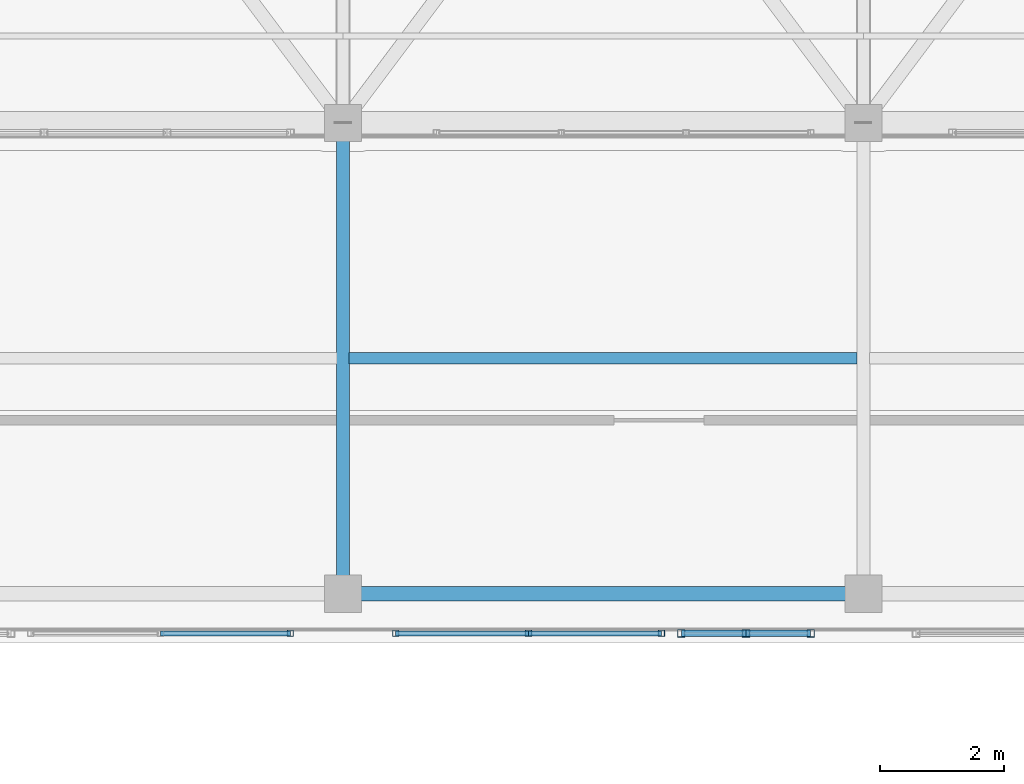
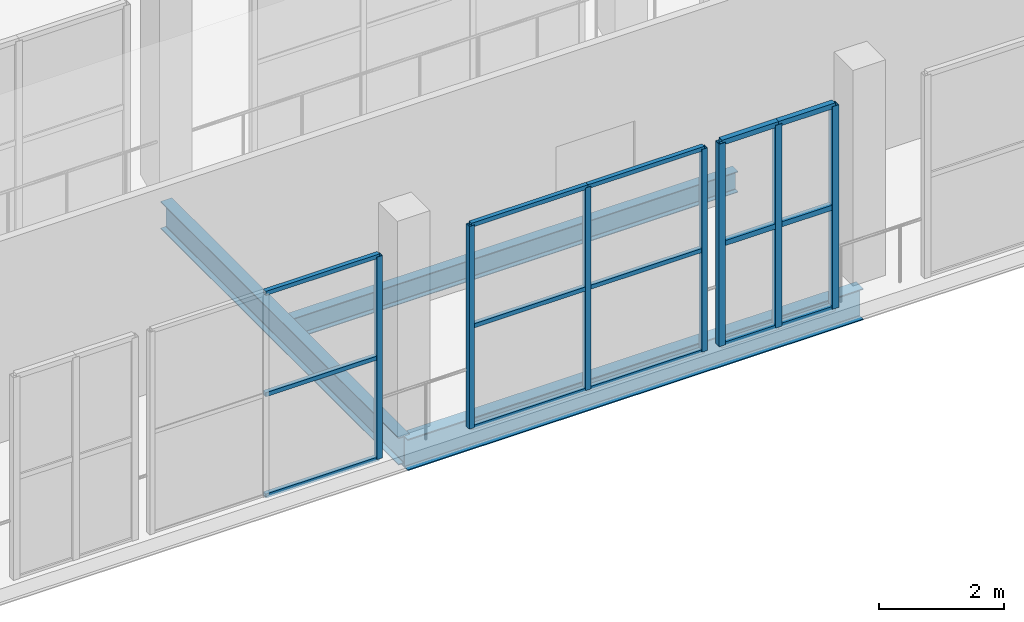
# One storey, part 69 of 217: 22 members, 3 beams, 3 elements without a shape of their own.
"""IFC4 building model written with IfcOpenShell, lengths in metres."""

from ifc_helpers import new_model, si_unit, direction, frame, origin, origin_2d, place, context, subcontext, project, spatial, hollow_rectangle, i_section, extrude, material, material_profile, profile_set, type_object, element, aggregate, save


model = new_model("IFC4")

# Units and contexts
model_context = context("Model", 3, precision=1e-05, world=origin(), true_north=direction((0.0, 1.0)))
body_context = subcontext(model_context, "Body", "Model", "MODEL_VIEW")
ifc_project = project(units=[si_unit("LENGTHUNIT", "METRE"), si_unit("AREAUNIT", "SQUARE_METRE"), si_unit("VOLUMEUNIT", "CUBIC_METRE"), si_unit("PLANEANGLEUNIT", "RADIAN"), si_unit("MASSUNIT", "GRAM", prefix="KILO")], contexts=[model_context])

# Site, building, storey
site_placement = place(None, origin())
site = spatial("IfcSite", under=ifc_project, at=site_placement, CompositionType="ELEMENT")
building_placement = place(site_placement, origin())
building = spatial("IfcBuilding", under=site, at=building_placement, Name="Zuvorla Pavilion Media Centre", CompositionType="ELEMENT")
storey_placement = place(building_placement, frame((0.0, 0.0, 9.60009765625)))
storey = spatial("IfcBuildingStorey", under=building, at=storey_placement, Name="L02", CompositionType="ELEMENT", Elevation=9.60009765625)

# Beams
ifc_material_1 = material(Name="Steel S355", Category="steel")
ifc_material_profile_1 = material_profile(ifc_material_1, i_section(OverallWidth=0.1787109375, OverallDepth=0.409423828125, WebThickness=0.0087890625, FlangeThickness=0.014404296875, FilletRadius=0.01025390625, at=origin_2d()), Name="UB 406x178x67")
ifc_profile_set_1 = profile_set([ifc_material_profile_1], Name="Steel S355")
beam_type_1 = type_object("IfcBeamType", Name="BM-UB406", PredefinedType="JOIST", material=ifc_profile_set_1)
beam_1_placement = place(storey_placement, frame((75.300048828125, 85.800048828125, -0.472900390625), z_axis=(1.0, 0.0, 0.0), x_axis=(0.0, 1.0, 0.0)))
element("IfcBeam", 1, at=beam_1_placement, inside=storey, type_object=beam_type_1, Name="L02 joist J02 1013", PredefinedType="JOIST", context=body_context, shape_type="SweptSolid", body=[
    extrude(i_section(OverallWidth=0.1787109375, OverallDepth=0.409423828125, WebThickness=0.0087890625, FlangeThickness=0.014404296875, FilletRadius=0.01025390625, at=origin_2d()), origin(), (0.0, 0.0, 1.0), 8.199951171875),
])
ifc_material_profile_2 = material_profile(ifc_material_1, i_section(OverallWidth=0.2099609375, OverallDepth=0.53662109375, WebThickness=0.0107421875, FlangeThickness=0.017333984375, FilletRadius=0.0126953125, at=origin_2d()), Name="UB 533x210x101")
ifc_profile_set_2 = profile_set([ifc_material_profile_2], Name="Steel S355")
beam_type_2 = type_object("IfcBeamType", Name="BM-UB533", PredefinedType="BEAM", material=ifc_profile_set_2)
beam_2_placement = place(storey_placement, frame((75.199951171875, 82.0, -0.536376953125), z_axis=(0.0, 1.0, 0.0), x_axis=(-1.0, 0.0, 0.0)))
element("IfcBeam", 2, at=beam_2_placement, inside=storey, type_object=beam_type_2, Name="L02 beam B08 933", PredefinedType="BEAM", context=body_context, shape_type="SweptSolid", body=[
    extrude(i_section(OverallWidth=0.2099609375, OverallDepth=0.53662109375, WebThickness=0.0107421875, FlangeThickness=0.017333984375, FilletRadius=0.0126953125, at=origin_2d()), origin(), (0.0, 0.0, 1.0), 7.60009765625),
])
ifc_material_profile_3 = material_profile(ifc_material_1, i_section(OverallWidth=0.22900390625, OverallDepth=0.6123046875, WebThickness=0.011962890625, FlangeThickness=0.01953125, FilletRadius=0.0126953125, at=origin_2d()), Name="UB 610x229x125")
ifc_profile_set_3 = profile_set([ifc_material_profile_3], Name="Steel S355")
beam_type_3 = type_object("IfcBeamType", Name="BM-UB610", PredefinedType="BEAM", material=ifc_profile_set_3)
beam_3_placement = place(storey_placement, frame((75.199951171875, 82.0, -0.57421875), z_axis=(1.0, 0.0, 0.0), x_axis=(0.0, 1.0, 0.0)))
element("IfcBeam", 3, at=beam_3_placement, inside=storey, type_object=beam_type_3, Name="L02 beam B07 866", PredefinedType="BEAM", context=body_context, shape_type="SweptSolid", body=[
    extrude(i_section(OverallWidth=0.22900390625, OverallDepth=0.6123046875, WebThickness=0.011962890625, FlangeThickness=0.01953125, FilletRadius=0.0126953125, at=origin_2d()), origin(), (0.0, 0.0, 1.0), 8.400146484375),
])

# Curtain wall, members
ifc_material_2 = material(Name="Unitised anodised aluminium and solar glass curtain wall", Category="aluminium")
curtain_wall_type_1 = type_object("IfcCurtainWallType", Name="CW-SYS-42", PredefinedType="USERDEFINED", material=ifc_material_2)
curtain_wall_1_placement = place(storey_placement, origin())
curtain_wall_1 = element("IfcCurtainWall", 4, at=curtain_wall_1_placement, inside=storey, type_object=curtain_wall_type_1, Name="L02 curtain wall CW42 63", ObjectType="CURTAIN WALL", PredefinedType="USERDEFINED")
ifc_material_3 = material(Name="Anodised aluminium 6063-T6", Category="aluminium")
ifc_material_profile_4 = material_profile(ifc_material_3, hollow_rectangle(XDim=0.10009765625, YDim=0.10009765625, WallThickness=0.00439453125, at=origin_2d()), Name="ALU MULL 100x100")
ifc_profile_set_4 = profile_set([ifc_material_profile_4], Name="Anodised aluminium 6063-T6")
member_type_1 = type_object("IfcMemberType", Name="CW-MULL-100", PredefinedType="MULLION", material=ifc_profile_set_4)
member_1_placement = place(storey_placement, frame((80.340087890625, 81.360107421875, 0.0), z_axis=(0.0, 0.0, 1.0), x_axis=(1.0, 0.0, 0.0)))
member_1 = element("IfcMember", 5, at=member_1_placement, type_object=member_type_1, Name="CW42 mullion 1", PredefinedType="MULLION", context=body_context, shape_type="SweptSolid", body=[
    extrude(hollow_rectangle(XDim=0.10009765625, YDim=0.10009765625, WallThickness=0.00439453125, at=origin_2d()), origin(), (0.0, 0.0, 1.0), 3.949951171875),
])
member_2_placement = place(storey_placement, frame((78.195068359375, 81.360107421875, 0.0), z_axis=(0.0, 0.0, 1.0), x_axis=(1.0, 0.0, 0.0)))
member_2 = element("IfcMember", 6, at=member_2_placement, type_object=member_type_1, Name="CW42 mullion 2", PredefinedType="MULLION", context=body_context, shape_type="SweptSolid", body=[
    extrude(hollow_rectangle(XDim=0.10009765625, YDim=0.10009765625, WallThickness=0.00439453125, at=origin_2d()), origin(), (0.0, 0.0, 1.0), 3.949951171875),
])
member_3_placement = place(storey_placement, frame((76.05029296875, 81.360107421875, 0.0), z_axis=(0.0, 0.0, 1.0), x_axis=(1.0, 0.0, 0.0)))
member_3 = element("IfcMember", 7, at=member_3_placement, type_object=member_type_1, Name="CW42 mullion 3", PredefinedType="MULLION", context=body_context, shape_type="SweptSolid", body=[
    extrude(hollow_rectangle(XDim=0.10009765625, YDim=0.10009765625, WallThickness=0.00439453125, at=origin_2d()), origin(), (0.0, 0.0, 1.0), 3.949951171875),
])

# Curtain wall, member
curtain_wall_type_2 = type_object("IfcCurtainWallType", Name="CW-SYS-43", PredefinedType="USERDEFINED", material=ifc_material_2)
curtain_wall_2_placement = place(storey_placement, origin())
curtain_wall_2 = element("IfcCurtainWall", 8, at=curtain_wall_2_placement, inside=storey, type_object=curtain_wall_type_2, Name="L02 curtain wall CW43 64", ObjectType="CURTAIN WALL", PredefinedType="USERDEFINED")
member_4_placement = place(storey_placement, frame((74.349609375, 81.360107421875, 0.0), z_axis=(0.0, 0.0, 1.0), x_axis=(1.0, 0.0, 0.0)))
member_4 = element("IfcMember", 9, at=member_4_placement, type_object=member_type_1, Name="CW43 mullion 1", PredefinedType="MULLION", context=body_context, shape_type="SweptSolid", body=[
    extrude(hollow_rectangle(XDim=0.10009765625, YDim=0.10009765625, WallThickness=0.00439453125, at=origin_2d()), origin(), (0.0, 0.0, 1.0), 3.949951171875),
])

# Curtain wall, members
curtain_wall_type_3 = type_object("IfcCurtainWallType", Name="CW-SYS-47", PredefinedType="USERDEFINED", material=ifc_material_2)
curtain_wall_3_placement = place(storey_placement, origin())
curtain_wall_3 = element("IfcCurtainWall", 10, at=curtain_wall_3_placement, inside=storey, type_object=curtain_wall_type_3, Name="L02 curtain wall CW47 68", ObjectType="CURTAIN WALL", PredefinedType="USERDEFINED")
ifc_material_profile_5 = material_profile(ifc_material_3, hollow_rectangle(XDim=0.1201171875, YDim=0.1201171875, WallThickness=0.0048828125, at=origin_2d()), Name="ALU MULL 120x120")
ifc_profile_set_5 = profile_set([ifc_material_profile_5], Name="Anodised aluminium 6063-T6")
member_type_2 = type_object("IfcMemberType", Name="CW-MULL-120", PredefinedType="MULLION", material=ifc_profile_set_5)
member_5_placement = place(storey_placement, frame((82.749755859375, 81.360107421875, 0.0), z_axis=(0.0, 0.0, 1.0), x_axis=(1.0, 0.0, 0.0)))
member_5 = element("IfcMember", 11, at=member_5_placement, type_object=member_type_2, Name="CW47 mullion 1", PredefinedType="MULLION", context=body_context, shape_type="SweptSolid", body=[
    extrude(hollow_rectangle(XDim=0.1201171875, YDim=0.1201171875, WallThickness=0.0048828125, at=origin_2d()), origin(), (0.0, 0.0, 1.0), 3.949951171875),
])
member_6_placement = place(storey_placement, frame((81.704833984375, 81.360107421875, 0.0), z_axis=(0.0, 0.0, 1.0), x_axis=(1.0, 0.0, 0.0)))
member_6 = element("IfcMember", 12, at=member_6_placement, type_object=member_type_2, Name="CW47 mullion 2", PredefinedType="MULLION", context=body_context, shape_type="SweptSolid", body=[
    extrude(hollow_rectangle(XDim=0.1201171875, YDim=0.1201171875, WallThickness=0.0048828125, at=origin_2d()), origin(), (0.0, 0.0, 1.0), 3.949951171875),
])
member_7_placement = place(storey_placement, frame((80.659912109375, 81.360107421875, 0.0), z_axis=(0.0, 0.0, 1.0), x_axis=(1.0, 0.0, 0.0)))
member_7 = element("IfcMember", 13, at=member_7_placement, type_object=member_type_2, Name="CW47 mullion 3", PredefinedType="MULLION", context=body_context, shape_type="SweptSolid", body=[
    extrude(hollow_rectangle(XDim=0.1201171875, YDim=0.1201171875, WallThickness=0.0048828125, at=origin_2d()), origin(), (0.0, 0.0, 1.0), 3.949951171875),
])
ifc_material_profile_6 = material_profile(ifc_material_3, hollow_rectangle(XDim=0.10009765625, YDim=0.10009765625, WallThickness=0.00439453125, at=origin_2d()), Name="ALU TRAN 100x100")
ifc_profile_set_6 = profile_set([ifc_material_profile_6], Name="Anodised aluminium 6063-T6")
member_type_3 = type_object("IfcMemberType", Name="CW-TRAN-100", PredefinedType="USERDEFINED", material=ifc_profile_set_6)
member_8_placement = place(storey_placement, frame((82.749755859375, 81.360107421875, 0.0), z_axis=(-1.0, 0.0, 0.0), x_axis=(0.0, -1.0, 0.0)))
member_8 = element("IfcMember", 14, at=member_8_placement, type_object=member_type_3, Name="CW47 transom 1.1", ObjectType="TRANSOM", PredefinedType="USERDEFINED", context=body_context, shape_type="SweptSolid", body=[
    extrude(hollow_rectangle(XDim=0.10009765625, YDim=0.10009765625, WallThickness=0.00439453125, at=origin_2d()), origin(), (0.0, 0.0, 1.0), 1.044921875),
])
member_9_placement = place(storey_placement, frame((82.749755859375, 81.360107421875, 1.974853515625), z_axis=(-1.0, 0.0, 0.0), x_axis=(0.0, -1.0, 0.0)))
member_9 = element("IfcMember", 15, at=member_9_placement, type_object=member_type_3, Name="CW47 transom 1.2", ObjectType="TRANSOM", PredefinedType="USERDEFINED", context=body_context, shape_type="SweptSolid", body=[
    extrude(hollow_rectangle(XDim=0.10009765625, YDim=0.10009765625, WallThickness=0.00439453125, at=origin_2d()), origin(), (0.0, 0.0, 1.0), 1.044921875),
])
member_10_placement = place(storey_placement, frame((82.749755859375, 81.360107421875, 3.949951171875), z_axis=(-1.0, 0.0, 0.0), x_axis=(0.0, -1.0, 0.0)))
member_10 = element("IfcMember", 16, at=member_10_placement, type_object=member_type_3, Name="CW47 transom 1.3", ObjectType="TRANSOM", PredefinedType="USERDEFINED", context=body_context, shape_type="SweptSolid", body=[
    extrude(hollow_rectangle(XDim=0.10009765625, YDim=0.10009765625, WallThickness=0.00439453125, at=origin_2d()), origin(), (0.0, 0.0, 1.0), 1.044921875),
])
member_11_placement = place(storey_placement, frame((81.704833984375, 81.360107421875, 0.0), z_axis=(-1.0, 0.0, 0.0), x_axis=(0.0, -1.0, 0.0)))
member_11 = element("IfcMember", 17, at=member_11_placement, type_object=member_type_3, Name="CW47 transom 2.1", ObjectType="TRANSOM", PredefinedType="USERDEFINED", context=body_context, shape_type="SweptSolid", body=[
    extrude(hollow_rectangle(XDim=0.10009765625, YDim=0.10009765625, WallThickness=0.00439453125, at=origin_2d()), origin(), (0.0, 0.0, 1.0), 1.044921875),
])
member_12_placement = place(storey_placement, frame((81.704833984375, 81.360107421875, 1.974853515625), z_axis=(-1.0, 0.0, 0.0), x_axis=(0.0, -1.0, 0.0)))
member_12 = element("IfcMember", 18, at=member_12_placement, type_object=member_type_3, Name="CW47 transom 2.2", ObjectType="TRANSOM", PredefinedType="USERDEFINED", context=body_context, shape_type="SweptSolid", body=[
    extrude(hollow_rectangle(XDim=0.10009765625, YDim=0.10009765625, WallThickness=0.00439453125, at=origin_2d()), origin(), (0.0, 0.0, 1.0), 1.044921875),
])
member_13_placement = place(storey_placement, frame((81.704833984375, 81.360107421875, 3.949951171875), z_axis=(-1.0, 0.0, 0.0), x_axis=(0.0, -1.0, 0.0)))
member_13 = element("IfcMember", 19, at=member_13_placement, type_object=member_type_3, Name="CW47 transom 2.3", ObjectType="TRANSOM", PredefinedType="USERDEFINED", context=body_context, shape_type="SweptSolid", body=[
    extrude(hollow_rectangle(XDim=0.10009765625, YDim=0.10009765625, WallThickness=0.00439453125, at=origin_2d()), origin(), (0.0, 0.0, 1.0), 1.044921875),
])
aggregate(curtain_wall_3, [member_5, member_6, member_7, member_8, member_9, member_10, member_11, member_12, member_13])

# Member
ifc_material_profile_7 = material_profile(ifc_material_3, hollow_rectangle(XDim=0.080078125, YDim=0.080078125, WallThickness=0.00390625, at=origin_2d()), Name="ALU TRAN 80x80")
ifc_profile_set_7 = profile_set([ifc_material_profile_7], Name="Anodised aluminium 6063-T6")
member_type_4 = type_object("IfcMemberType", Name="CW-TRAN-80", PredefinedType="USERDEFINED", material=ifc_profile_set_7)
member_14_placement = place(storey_placement, frame((80.340087890625, 81.360107421875, 0.0), z_axis=(-1.0, 0.0, 0.0), x_axis=(0.0, -1.0, 0.0)))
member_14 = element("IfcMember", 20, at=member_14_placement, type_object=member_type_4, Name="CW42 transom 1.1", ObjectType="TRANSOM", PredefinedType="USERDEFINED", context=body_context, shape_type="SweptSolid", body=[
    extrude(hollow_rectangle(XDim=0.080078125, YDim=0.080078125, WallThickness=0.00390625, at=origin_2d()), origin(), (0.0, 0.0, 1.0), 2.14501953125),
])

member_15_placement = place(storey_placement, frame((80.340087890625, 81.360107421875, 1.974853515625), z_axis=(-1.0, 0.0, 0.0), x_axis=(0.0, -1.0, 0.0)))
member_15 = element("IfcMember", 21, at=member_15_placement, type_object=member_type_4, Name="CW42 transom 1.2", ObjectType="TRANSOM", PredefinedType="USERDEFINED", context=body_context, shape_type="SweptSolid", body=[
    extrude(hollow_rectangle(XDim=0.080078125, YDim=0.080078125, WallThickness=0.00390625, at=origin_2d()), origin(), (0.0, 0.0, 1.0), 2.14501953125),
])

member_16_placement = place(storey_placement, frame((80.340087890625, 81.360107421875, 3.949951171875), z_axis=(-1.0, 0.0, 0.0), x_axis=(0.0, -1.0, 0.0)))
member_16 = element("IfcMember", 22, at=member_16_placement, type_object=member_type_4, Name="CW42 transom 1.3", ObjectType="TRANSOM", PredefinedType="USERDEFINED", context=body_context, shape_type="SweptSolid", body=[
    extrude(hollow_rectangle(XDim=0.080078125, YDim=0.080078125, WallThickness=0.00390625, at=origin_2d()), origin(), (0.0, 0.0, 1.0), 2.14501953125),
])

member_17_placement = place(storey_placement, frame((78.195068359375, 81.360107421875, 0.0), z_axis=(-1.0, 0.0, 0.0), x_axis=(0.0, -1.0, 0.0)))
member_17 = element("IfcMember", 23, at=member_17_placement, type_object=member_type_4, Name="CW42 transom 2.1", ObjectType="TRANSOM", PredefinedType="USERDEFINED", context=body_context, shape_type="SweptSolid", body=[
    extrude(hollow_rectangle(XDim=0.080078125, YDim=0.080078125, WallThickness=0.00390625, at=origin_2d()), origin(), (0.0, 0.0, 1.0), 2.144775390625),
])

member_18_placement = place(storey_placement, frame((78.195068359375, 81.360107421875, 1.974853515625), z_axis=(-1.0, 0.0, 0.0), x_axis=(0.0, -1.0, 0.0)))
member_18 = element("IfcMember", 24, at=member_18_placement, type_object=member_type_4, Name="CW42 transom 2.2", ObjectType="TRANSOM", PredefinedType="USERDEFINED", context=body_context, shape_type="SweptSolid", body=[
    extrude(hollow_rectangle(XDim=0.080078125, YDim=0.080078125, WallThickness=0.00390625, at=origin_2d()), origin(), (0.0, 0.0, 1.0), 2.144775390625),
])

member_19_placement = place(storey_placement, frame((78.195068359375, 81.360107421875, 3.949951171875), z_axis=(-1.0, 0.0, 0.0), x_axis=(0.0, -1.0, 0.0)))
member_19 = element("IfcMember", 25, at=member_19_placement, type_object=member_type_4, Name="CW42 transom 2.3", ObjectType="TRANSOM", PredefinedType="USERDEFINED", context=body_context, shape_type="SweptSolid", body=[
    extrude(hollow_rectangle(XDim=0.080078125, YDim=0.080078125, WallThickness=0.00390625, at=origin_2d()), origin(), (0.0, 0.0, 1.0), 2.144775390625),
])

aggregate(curtain_wall_1, [member_1, member_2, member_3, member_14, member_15, member_16, member_17, member_18, member_19])

member_20_placement = place(storey_placement, frame((74.349609375, 81.360107421875, 0.0), z_axis=(-1.0, 0.0, 0.0), x_axis=(0.0, -1.0, 0.0)))
member_20 = element("IfcMember", 26, at=member_20_placement, type_object=member_type_4, Name="CW43 transom 1.1", ObjectType="TRANSOM", PredefinedType="USERDEFINED", context=body_context, shape_type="SweptSolid", body=[
    extrude(hollow_rectangle(XDim=0.080078125, YDim=0.080078125, WallThickness=0.00390625, at=origin_2d()), origin(), (0.0, 0.0, 1.0), 2.0947265625),
])

member_21_placement = place(storey_placement, frame((74.349609375, 81.360107421875, 1.974853515625), z_axis=(-1.0, 0.0, 0.0), x_axis=(0.0, -1.0, 0.0)))
member_21 = element("IfcMember", 27, at=member_21_placement, type_object=member_type_4, Name="CW43 transom 1.2", ObjectType="TRANSOM", PredefinedType="USERDEFINED", context=body_context, shape_type="SweptSolid", body=[
    extrude(hollow_rectangle(XDim=0.080078125, YDim=0.080078125, WallThickness=0.00390625, at=origin_2d()), origin(), (0.0, 0.0, 1.0), 2.0947265625),
])

member_22_placement = place(storey_placement, frame((74.349609375, 81.360107421875, 3.949951171875), z_axis=(-1.0, 0.0, 0.0), x_axis=(0.0, -1.0, 0.0)))
member_22 = element("IfcMember", 28, at=member_22_placement, type_object=member_type_4, Name="CW43 transom 1.3", ObjectType="TRANSOM", PredefinedType="USERDEFINED", context=body_context, shape_type="SweptSolid", body=[
    extrude(hollow_rectangle(XDim=0.080078125, YDim=0.080078125, WallThickness=0.00390625, at=origin_2d()), origin(), (0.0, 0.0, 1.0), 2.0947265625),
])

aggregate(curtain_wall_2, [member_4, member_20, member_21, member_22])

save(model, "model.ifc")
